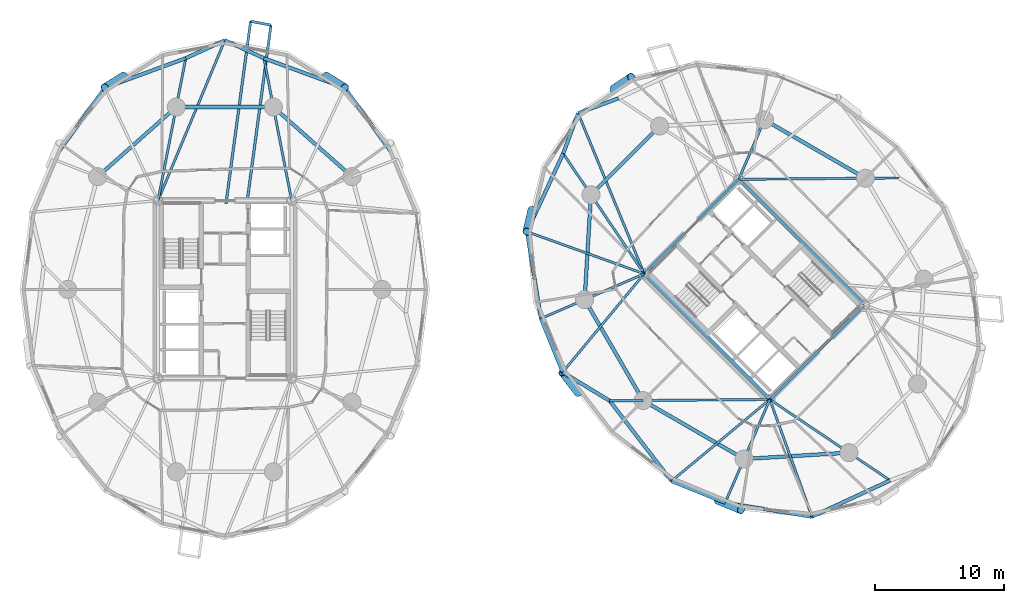
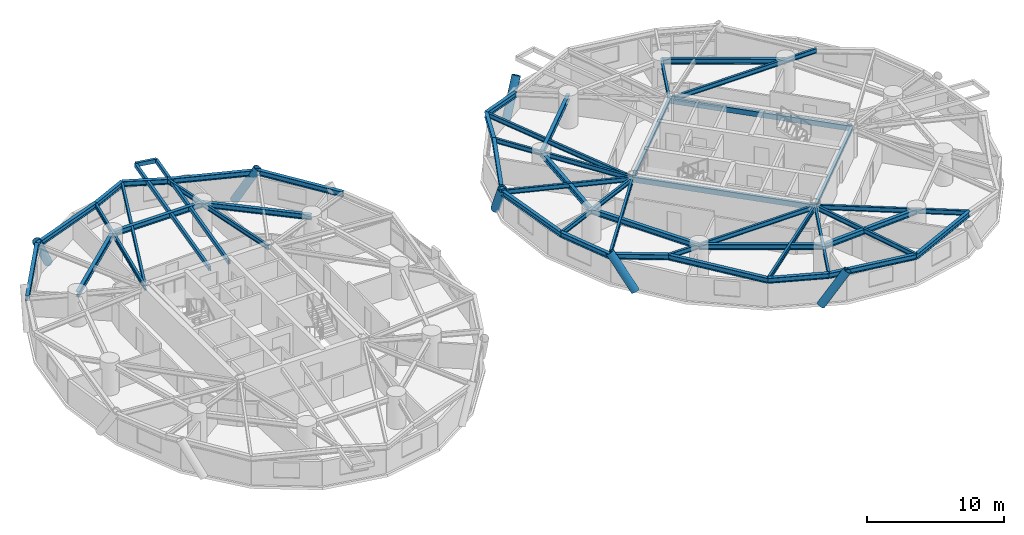
# One storey, part 5 of 17: 48 beams, 6 members.
"""IFC4 building model written with IfcOpenShell, lengths in metres."""

from ifc_helpers import new_model, si_unit, direction, frame, origin, origin_2d, place, context, subcontext, project, spatial, hollow_rectangle, hollow_circle, i_section, extrude, material, material_profile, profile_set, type_object, element, save


model = new_model("IFC4")

# Units and contexts
model_context = context("Model", 3, precision=1e-05, world=origin(), true_north=direction((0.0, 1.0)))
body_context = subcontext(model_context, "Body", "Model", "MODEL_VIEW")
ifc_project = project(units=[si_unit("LENGTHUNIT", "METRE"), si_unit("AREAUNIT", "SQUARE_METRE"), si_unit("VOLUMEUNIT", "CUBIC_METRE"), si_unit("PLANEANGLEUNIT", "RADIAN"), si_unit("MASSUNIT", "GRAM", prefix="KILO")], contexts=[model_context])

# Site, building, storey
site_placement = place(None, origin())
site = spatial("IfcSite", under=ifc_project, at=site_placement, CompositionType="ELEMENT")
building_placement = place(site_placement, origin())
building = spatial("IfcBuilding", under=site, at=building_placement, Name="Cununo Teusaquillo Station Towers", CompositionType="ELEMENT")
storey_placement = place(building_placement, frame((0.0, 0.0, 81.7900390625)))
storey = spatial("IfcBuildingStorey", under=building, at=storey_placement, Name="L25", CompositionType="ELEMENT", Elevation=81.7900390625)

# Beams
ifc_material_1 = material(Name="Steel EN 10025-2 S355J2", Category="steel")
ifc_material_profile_1 = material_profile(ifc_material_1, hollow_rectangle(XDim=0.199951171875, YDim=0.35009765625, WallThickness=0.013916015625, at=origin_2d()), Name="RHS 350x200x14")
ifc_profile_set_1 = profile_set([ifc_material_profile_1], Name="Steel EN 10025-2 S355J2")
beam_type_1 = type_object("IfcBeamType", Name="BM-BAL-CANT", PredefinedType="BEAM", material=ifc_profile_set_1)
beam_1_placement = place(storey_placement, frame((18.206298828125, 31.14990234375, 2.494873046875), z_axis=(0.133960678738, 0.990986648019, 0.0), x_axis=(-0.990986648019, 0.133960678738, 0.0)))
element("IfcBeam", 1, at=beam_1_placement, inside=storey, type_object=beam_type_1, Name="L25 Tower A Balcony Cantilever Bracket 1A", PredefinedType="BEAM", context=body_context, shape_type="SweptSolid", body=[
    extrude(hollow_rectangle(XDim=0.199951171875, YDim=0.35009765625, WallThickness=0.013916015625, at=origin_2d()), origin(), (0.0, 0.0, 1.0), 13.9345703125),
])
beam_2_placement = place(storey_placement, frame((16.59130859375, 31.14990234375, 2.494873046875), z_axis=(0.133936551357, 0.990989909237, 0.0), x_axis=(-0.990989909237, 0.133936551357, 0.0)))
element("IfcBeam", 2, at=beam_2_placement, inside=storey, type_object=beam_type_1, Name="L25 Tower A Balcony Cantilever Bracket 1B", PredefinedType="BEAM", context=body_context, shape_type="SweptSolid", body=[
    extrude(hollow_rectangle(XDim=0.199951171875, YDim=0.35009765625, WallThickness=0.013916015625, at=origin_2d()), origin(), (0.0, 0.0, 1.0), 14.24169921875),
])
ifc_material_2 = material(Name="Steel EN 10025-2 S355J2", Category="steel")
ifc_material_profile_2 = material_profile(ifc_material_2, hollow_rectangle(XDim=0.25, YDim=0.449951171875, WallThickness=0.01611328125, at=origin_2d()), Name="RHS 450x250x16")
ifc_profile_set_2 = profile_set([ifc_material_profile_2], Name="Steel EN 10025-2 S355J2")
beam_type_2 = type_object("IfcBeamType", Name="BM-COUP-1", PredefinedType="USERDEFINED", material=ifc_profile_set_2)
for number, where, z_axis, x_axis, name in (
    (3, (58.70556640625, 15.975830078125, 2.445068359375), (-0.707106781187, 0.707106781187, 0.0), (-0.707106781187, -0.707106781187, 0.0), "L25 Tower B Core Beam 1"),
    (4, (66.024169921875, 23.29443359375, 2.445068359375), (-0.707106781187, 0.707106781187, 0.0), (-0.707106781187, -0.707106781187, 0.0), "L25 Tower B Core Beam 2"),
):
    element("IfcBeam", number, at=place(storey_placement, frame(where, z_axis=z_axis, x_axis=x_axis)), inside=storey, type_object=beam_type_2, Name=name, ObjectType="COUPLING BEAM", PredefinedType="USERDEFINED", context=body_context, shape_type="SweptSolid", body=[
        extrude(hollow_rectangle(XDim=0.25, YDim=0.449951171875, WallThickness=0.01611328125, at=origin_2d()), origin(), (0.0, 0.0, 1.0), 13.760009765625),
    ])
ifc_material_3 = material(Name="Steel ASTM A572 Grade 50", Category="steel")
ifc_material_profile_3 = material_profile(ifc_material_3, i_section(OverallWidth=0.180908203125, OverallDepth=0.4169921875, WebThickness=0.010986328125, FlangeThickness=0.018310546875, FilletRadius=0.012939453125, at=origin_2d()), Name="W16X57")
ifc_profile_set_3 = profile_set([ifc_material_profile_3], Name="Steel ASTM A572 Grade 50")
beam_type_3 = type_object("IfcBeamType", Name="BM-JOIST-1", PredefinedType="JOIST", material=ifc_profile_set_3)
beam_3_placement = place(storey_placement, frame((11.324951171875, 31.3798828125, 2.46142578125), z_axis=(0.38487837995, 0.922967297713, 0.0), x_axis=(-0.922967297713, 0.38487837995, 0.0)))
element("IfcBeam", 5, at=beam_3_placement, inside=storey, type_object=beam_type_3, Name="L25 Tower A Radial Spandrel Joist V05", PredefinedType="JOIST", context=body_context, shape_type="SweptSolid", body=[
    extrude(i_section(OverallWidth=0.180908203125, OverallDepth=0.4169921875, WebThickness=0.010986328125, FlangeThickness=0.018310546875, FilletRadius=0.012939453125, at=origin_2d()), origin(), (0.0, 0.0, 1.0), 13.446044921875),
])
beam_4_placement = place(storey_placement, frame((48.975830078125, 25.70556640625, 2.46142578125), z_axis=(-0.380485864505, 0.924786735908, 0.0), x_axis=(-0.924786735908, -0.380485864505, 0.0)))
element("IfcBeam", 6, at=beam_4_placement, inside=storey, type_object=beam_type_3, Name="L25 Tower B Radial Spandrel Joist V05", PredefinedType="JOIST", context=body_context, shape_type="SweptSolid", body=[
    extrude(i_section(OverallWidth=0.180908203125, OverallDepth=0.4169921875, WebThickness=0.010986328125, FlangeThickness=0.018310546875, FilletRadius=0.012939453125, at=origin_2d()), origin(), (0.0, 0.0, 1.0), 13.44580078125),
])
beam_5_placement = place(storey_placement, frame((48.975830078125, 25.70556640625, 2.46142578125), z_axis=(-0.941082771055, 0.338176312038, 0.0), x_axis=(-0.338176312038, -0.941082771055, 0.0)))
element("IfcBeam", 7, at=beam_5_placement, inside=storey, type_object=beam_type_3, Name="L25 Tower B Radial Spandrel Joist V07", PredefinedType="JOIST", context=body_context, shape_type="SweptSolid", body=[
    extrude(i_section(OverallWidth=0.180908203125, OverallDepth=0.4169921875, WebThickness=0.010986328125, FlangeThickness=0.018310546875, FilletRadius=0.012939453125, at=origin_2d()), origin(), (0.0, 0.0, 1.0), 9.646484375),
])
for number, where, z_axis, x_axis, name in (
    (8, (48.975830078125, 25.70556640625, 2.46142578125), (-0.638372238196, -0.769727799615, 0.0), (0.769727799615, -0.638372238196, 0.0), "L25 Tower B Radial Spandrel Joist V09"),
    (9, (58.70556640625, 15.975830078125, 2.46142578125), (-0.769727799615, -0.638372238196, 0.0), (0.638372238196, -0.769727799615, 0.0), "L25 Tower B Radial Spandrel Joist V11"),
):
    element("IfcBeam", number, at=place(storey_placement, frame(where, z_axis=z_axis, x_axis=x_axis)), inside=storey, type_object=beam_type_3, Name=name, PredefinedType="JOIST", context=body_context, shape_type="SweptSolid", body=[
        extrude(i_section(OverallWidth=0.180908203125, OverallDepth=0.4169921875, WebThickness=0.010986328125, FlangeThickness=0.018310546875, FilletRadius=0.012939453125, at=origin_2d()), origin(), (0.0, 0.0, 1.0), 9.895263671875),
    ])
beam_6_placement = place(storey_placement, frame((58.70556640625, 15.975830078125, 2.46142578125), z_axis=(0.338176312038, -0.941082771055, 0.0), x_axis=(0.941082771055, 0.338176312038, 0.0)))
element("IfcBeam", 10, at=beam_6_placement, inside=storey, type_object=beam_type_3, Name="L25 Tower B Radial Spandrel Joist V13", PredefinedType="JOIST", context=body_context, shape_type="SweptSolid", body=[
    extrude(i_section(OverallWidth=0.180908203125, OverallDepth=0.4169921875, WebThickness=0.010986328125, FlangeThickness=0.018310546875, FilletRadius=0.012939453125, at=origin_2d()), origin(), (0.0, 0.0, 1.0), 9.646484375),
])
ifc_material_4 = material(Name="Steel ASTM A572 Grade 50", Category="steel")
ifc_material_profile_4 = material_profile(ifc_material_4, i_section(OverallWidth=0.2041015625, OverallDepth=0.35009765625, WebThickness=0.008544921875, FlangeThickness=0.01513671875, FilletRadius=0.011962890625, at=origin_2d()), Name="W14X48")
ifc_profile_set_4 = profile_set([ifc_material_profile_4], Name="Steel ASTM A572 Grade 50")
beam_type_4 = type_object("IfcBeamType", Name="BM-LINTEL-1", PredefinedType="LINTEL", material=ifc_profile_set_4)
for number, where, z_axis, x_axis, name in (
    (11, (58.70556640625, 15.975830078125, 2.494873046875), (0.707106781187, 0.707106781187, 0.0), (-0.707106781187, 0.707106781187, 0.0), "L25 Tower B Core Beam 3"),
    (12, (48.975830078125, 25.70556640625, 2.494873046875), (0.707106781187, 0.707106781187, 0.0), (-0.707106781187, 0.707106781187, 0.0), "L25 Tower B Core Beam 4"),
):
    element("IfcBeam", number, at=place(storey_placement, frame(where, z_axis=z_axis, x_axis=x_axis)), inside=storey, type_object=beam_type_4, Name=name, PredefinedType="LINTEL", context=body_context, shape_type="SweptSolid", body=[
        extrude(i_section(OverallWidth=0.2041015625, OverallDepth=0.35009765625, WebThickness=0.008544921875, FlangeThickness=0.01513671875, FilletRadius=0.011962890625, at=origin_2d()), origin(), (0.0, 0.0, 1.0), 10.35009765625),
    ])
ifc_material_5 = material(Name="Steel ASTM A572 Grade 50", Category="steel")
ifc_material_profile_5 = material_profile(ifc_material_5, i_section(OverallWidth=0.180908203125, OverallDepth=0.4169921875, WebThickness=0.010986328125, FlangeThickness=0.018310546875, FilletRadius=0.012939453125, at=origin_2d()), Name="W16X57")
ifc_profile_set_5 = profile_set([ifc_material_profile_5], Name="Steel ASTM A572 Grade 50")
beam_type_5 = type_object("IfcBeamType", Name="BM-RAD-G2", PredefinedType="BEAM", material=ifc_profile_set_5)
for number, where, z_axis, x_axis, name in (
    (13, (21.675048828125, 31.3798828125, 2.46142578125), (-0.191552755713, 0.981482318628, 0.0), (-0.981482318628, -0.191552755713, 0.0), "L25 Tower A Continuous Overhanging Radial Girder 03"),
    (14, (11.324951171875, 31.3798828125, 2.46142578125), (0.191552755713, 0.981482318628, 0.0), (-0.981482318628, 0.191552755713, 0.0), "L25 Tower A Continuous Overhanging Radial Girder 04"),
):
    element("IfcBeam", number, at=place(storey_placement, frame(where, z_axis=z_axis, x_axis=x_axis)), inside=storey, type_object=beam_type_5, Name=name, PredefinedType="BEAM", context=body_context, shape_type="SweptSolid", body=[
        extrude(i_section(OverallWidth=0.180908203125, OverallDepth=0.4169921875, WebThickness=0.010986328125, FlangeThickness=0.018310546875, FilletRadius=0.012939453125, at=origin_2d()), origin(), (0.0, 0.0, 1.0), 11.22998046875),
    ])
beam_7_placement = place(storey_placement, frame((56.29443359375, 33.024169921875, 2.46142578125), z_axis=(0.999964331255, 0.008446077024, 0.0), x_axis=(-0.008446077024, 0.999964331255, 0.0)))
element("IfcBeam", 15, at=beam_7_placement, inside=storey, type_object=beam_type_5, Name="L25 Tower B Continuous Overhanging Radial Girder 01", PredefinedType="BEAM", context=body_context, shape_type="SweptSolid", body=[
    extrude(i_section(OverallWidth=0.180908203125, OverallDepth=0.4169921875, WebThickness=0.010986328125, FlangeThickness=0.018310546875, FilletRadius=0.012939453125, at=origin_2d()), origin(), (0.0, 0.0, 1.0), 12.400634765625),
])
beam_8_placement = place(storey_placement, frame((56.29443359375, 33.024169921875, 2.46142578125), z_axis=(0.397346986387, 0.917668443616, 0.0), x_axis=(-0.917668443616, 0.397346986387, 0.0)))
element("IfcBeam", 16, at=beam_8_placement, inside=storey, type_object=beam_type_5, Name="L25 Tower B Radial Girder 02A", PredefinedType="BEAM", context=body_context, shape_type="SweptSolid", body=[
    extrude(i_section(OverallWidth=0.180908203125, OverallDepth=0.4169921875, WebThickness=0.010986328125, FlangeThickness=0.018310546875, FilletRadius=0.012939453125, at=origin_2d()), origin(), (0.0, 0.0, 1.0), 5.02490234375),
])
beam_9_placement = place(storey_placement, frame((48.975830078125, 25.70556640625, 2.46142578125), z_axis=(-0.558572297481, 0.82945583878, 0.0), x_axis=(-0.82945583878, -0.558572297481, 0.0)))
element("IfcBeam", 17, at=beam_9_placement, inside=storey, type_object=beam_type_5, Name="L25 Tower B Continuous Overhanging Radial Girder 04", PredefinedType="BEAM", context=body_context, shape_type="SweptSolid", body=[
    extrude(i_section(OverallWidth=0.180908203125, OverallDepth=0.4169921875, WebThickness=0.010986328125, FlangeThickness=0.018310546875, FilletRadius=0.012939453125, at=origin_2d()), origin(), (0.0, 0.0, 1.0), 11.22998046875),
])
beam_10_placement = place(storey_placement, frame((48.975830078125, 25.70556640625, 2.46142578125), z_axis=(-0.917654733344, -0.397378648609, 0.0), x_axis=(0.397378648609, -0.917654733344, 0.0)))
element("IfcBeam", 18, at=beam_10_placement, inside=storey, type_object=beam_type_5, Name="L25 Tower B Continuous Overhanging Radial Girder 05", PredefinedType="BEAM", context=body_context, shape_type="SweptSolid", body=[
    extrude(i_section(OverallWidth=0.180908203125, OverallDepth=0.4169921875, WebThickness=0.010986328125, FlangeThickness=0.018310546875, FilletRadius=0.012939453125, at=origin_2d()), origin(), (0.0, 0.0, 1.0), 8.71484375),
])
beam_11_placement = place(storey_placement, frame((58.70556640625, 15.975830078125, 2.46142578125), z_axis=(-0.999964431382, -0.008434214327, 0.0), x_axis=(0.008434214327, -0.999964431382, 0.0)))
element("IfcBeam", 19, at=beam_11_placement, inside=storey, type_object=beam_type_5, Name="L25 Tower B Radial Girder 06A", PredefinedType="BEAM", context=body_context, shape_type="SweptSolid", body=[
    extrude(i_section(OverallWidth=0.180908203125, OverallDepth=0.4169921875, WebThickness=0.010986328125, FlangeThickness=0.018310546875, FilletRadius=0.012939453125, at=origin_2d()), origin(), (0.0, 0.0, 1.0), 9.812744140625),
])
beam_12_placement = place(storey_placement, frame((48.89306640625, 15.89306640625, 2.46142578125), z_axis=(-0.999963950292, -0.008491060999, 0.0), x_axis=(0.008491060999, -0.999963950292, 0.0)))
element("IfcBeam", 20, at=beam_12_placement, inside=storey, type_object=beam_type_5, Name="L25 Tower B Perimeter Overhang Girder 06B", PredefinedType="BEAM", context=body_context, shape_type="SweptSolid", body=[
    extrude(i_section(OverallWidth=0.180908203125, OverallDepth=0.4169921875, WebThickness=0.010986328125, FlangeThickness=0.018310546875, FilletRadius=0.012939453125, at=origin_2d()), origin(), (0.0, 0.0, 1.0), 2.587646484375),
])
beam_13_placement = place(storey_placement, frame((58.70556640625, 15.975830078125, 2.46142578125), z_axis=(-0.397378648609, -0.917654733344, 0.0), x_axis=(0.917654733344, -0.397378648609, 0.0)))
element("IfcBeam", 21, at=beam_13_placement, inside=storey, type_object=beam_type_5, Name="L25 Tower B Continuous Overhanging Radial Girder 07", PredefinedType="BEAM", context=body_context, shape_type="SweptSolid", body=[
    extrude(i_section(OverallWidth=0.180908203125, OverallDepth=0.4169921875, WebThickness=0.010986328125, FlangeThickness=0.018310546875, FilletRadius=0.012939453125, at=origin_2d()), origin(), (0.0, 0.0, 1.0), 8.71484375),
])
beam_14_placement = place(storey_placement, frame((58.70556640625, 15.975830078125, 2.46142578125), z_axis=(0.82945583878, -0.558572297481, 0.0), x_axis=(0.558572297481, 0.82945583878, 0.0)))
element("IfcBeam", 22, at=beam_14_placement, inside=storey, type_object=beam_type_5, Name="L25 Tower B Continuous Overhanging Radial Girder 08", PredefinedType="BEAM", context=body_context, shape_type="SweptSolid", body=[
    extrude(i_section(OverallWidth=0.180908203125, OverallDepth=0.4169921875, WebThickness=0.010986328125, FlangeThickness=0.018310546875, FilletRadius=0.012939453125, at=origin_2d()), origin(), (0.0, 0.0, 1.0), 11.22998046875),
])
ifc_material_6 = material(Name="Steel ASTM A572 Grade 50", Category="steel")
ifc_material_profile_6 = material_profile(ifc_material_6, i_section(OverallWidth=0.280029296875, OverallDepth=0.462890625, WebThickness=0.0107421875, FlangeThickness=0.017333984375, FilletRadius=0.013916015625, at=origin_2d()), Name="W18X76")
ifc_profile_set_6 = profile_set([ifc_material_profile_6], Name="Steel ASTM A572 Grade 50")
beam_type_6 = type_object("IfcBeamType", Name="BM-RING-Z2", PredefinedType="SPANDREL", material=ifc_profile_set_6)
beam_15_placement = place(storey_placement, frame((26.347412109375, 33.228515625, 2.4384765625), z_axis=(-0.74832120039, 0.66333655187, 0.0), x_axis=(-0.66333655187, -0.74832120039, 0.0)))
element("IfcBeam", 23, at=beam_15_placement, inside=storey, type_object=beam_type_6, Name="L25 Tower A Structural Column Ring Girder 02", PredefinedType="SPANDREL", context=body_context, shape_type="SweptSolid", body=[
    extrude(i_section(OverallWidth=0.280029296875, OverallDepth=0.462890625, WebThickness=0.0107421875, FlangeThickness=0.017333984375, FilletRadius=0.013916015625, at=origin_2d()), origin(), (0.0, 0.0, 1.0), 8.1328125),
])
beam_16_placement = place(storey_placement, frame((20.261474609375, 38.623291015625, 2.4384765625), z_axis=(-1.0, 0.0, 0.0), x_axis=(0.0, -1.0, 0.0)))
element("IfcBeam", 24, at=beam_16_placement, inside=storey, type_object=beam_type_6, Name="L25 Tower A Structural Column Ring Girder 03", PredefinedType="SPANDREL", context=body_context, shape_type="SweptSolid", body=[
    extrude(i_section(OverallWidth=0.280029296875, OverallDepth=0.462890625, WebThickness=0.0107421875, FlangeThickness=0.017333984375, FilletRadius=0.013916015625, at=origin_2d()), origin(), (0.0, 0.0, 1.0), 7.52294921875),
])
beam_17_placement = place(storey_placement, frame((12.738525390625, 38.623291015625, 2.4384765625), z_axis=(-0.74832120039, -0.66333655187, 0.0), x_axis=(0.66333655187, -0.74832120039, 0.0)))
element("IfcBeam", 25, at=beam_17_placement, inside=storey, type_object=beam_type_6, Name="L25 Tower A Structural Column Ring Girder 04", PredefinedType="SPANDREL", context=body_context, shape_type="SweptSolid", body=[
    extrude(i_section(OverallWidth=0.280029296875, OverallDepth=0.462890625, WebThickness=0.0107421875, FlangeThickness=0.017333984375, FilletRadius=0.013916015625, at=origin_2d()), origin(), (0.0, 0.0, 1.0), 8.1328125),
])
beam_18_placement = place(storey_placement, frame((29.77880859375, 34.586181640625, 2.4384765625), z_axis=(-0.58594455724, 0.810351143543, 0.0), x_axis=(-0.810351143543, -0.58594455724, 0.0)))
element("IfcBeam", 26, at=beam_18_placement, inside=storey, type_object=beam_type_6, Name="L25 Tower A Spandrel Ring Beam 03", PredefinedType="SPANDREL", context=body_context, shape_type="SweptSolid", body=[
    extrude(i_section(OverallWidth=0.280029296875, OverallDepth=0.462890625, WebThickness=0.0107421875, FlangeThickness=0.017333984375, FilletRadius=0.013916015625, at=origin_2d()), origin(), (0.0, 0.0, 1.0), 6.8115234375),
])
beam_19_placement = place(storey_placement, frame((25.78759765625, 40.10595703125, 2.4384765625), z_axis=(-0.938914161016, 0.34415141761, 0.0), x_axis=(-0.34415141761, -0.938914161016, 0.0)))
element("IfcBeam", 27, at=beam_19_placement, inside=storey, type_object=beam_type_6, Name="L25 Tower A Spandrel Ring Beam 04", PredefinedType="SPANDREL", context=body_context, shape_type="SweptSolid", body=[
    extrude(i_section(OverallWidth=0.280029296875, OverallDepth=0.462890625, WebThickness=0.0107421875, FlangeThickness=0.017333984375, FilletRadius=0.013916015625, at=origin_2d()), origin(), (0.0, 0.0, 1.0), 6.671142578125),
])
for number, where, z_axis, x_axis, name in (
    (28, (19.52392578125, 42.40185546875, 2.4384765625), (-0.908812215281, 0.417205413862, 0.0), (-0.417205413862, -0.908812215281, 0.0), "L25 Tower A Spandrel Ring Beam 05"),
    (29, (16.5, 43.7900390625, 2.4384765625), (-0.908812215281, -0.417205413862, 0.0), (0.417205413862, -0.908812215281, 0.0), "L25 Tower A Spandrel Ring Beam 06"),
):
    element("IfcBeam", number, at=place(storey_placement, frame(where, z_axis=z_axis, x_axis=x_axis)), inside=storey, type_object=beam_type_6, Name=name, PredefinedType="SPANDREL", context=body_context, shape_type="SweptSolid", body=[
        extrude(i_section(OverallWidth=0.280029296875, OverallDepth=0.462890625, WebThickness=0.0107421875, FlangeThickness=0.017333984375, FilletRadius=0.013916015625, at=origin_2d()), origin(), (0.0, 0.0, 1.0), 3.327392578125),
    ])
beam_20_placement = place(storey_placement, frame((13.47607421875, 42.40185546875, 2.4384765625), z_axis=(-0.938914161016, -0.34415141761, 0.0), x_axis=(0.34415141761, -0.938914161016, 0.0)))
element("IfcBeam", 30, at=beam_20_placement, inside=storey, type_object=beam_type_6, Name="L25 Tower A Spandrel Ring Beam 07", PredefinedType="SPANDREL", context=body_context, shape_type="SweptSolid", body=[
    extrude(i_section(OverallWidth=0.280029296875, OverallDepth=0.462890625, WebThickness=0.0107421875, FlangeThickness=0.017333984375, FilletRadius=0.013916015625, at=origin_2d()), origin(), (0.0, 0.0, 1.0), 6.671142578125),
])
beam_21_placement = place(storey_placement, frame((7.21240234375, 40.10595703125, 2.4384765625), z_axis=(-0.58594455724, -0.810351143543, 0.0), x_axis=(0.810351143543, -0.58594455724, 0.0)))
element("IfcBeam", 31, at=beam_21_placement, inside=storey, type_object=beam_type_6, Name="L25 Tower A Spandrel Ring Beam 08", PredefinedType="SPANDREL", context=body_context, shape_type="SweptSolid", body=[
    extrude(i_section(OverallWidth=0.280029296875, OverallDepth=0.462890625, WebThickness=0.0107421875, FlangeThickness=0.017333984375, FilletRadius=0.013916015625, at=origin_2d()), origin(), (0.0, 0.0, 1.0), 6.8115234375),
])
beam_22_placement = place(storey_placement, frame((66.10693359375, 33.10693359375, 2.4384765625), z_axis=(-0.865267103202, 0.501311121078, 0.0), x_axis=(-0.501311121078, -0.865267103202, 0.0)))
element("IfcBeam", 32, at=beam_22_placement, inside=storey, type_object=beam_type_6, Name="L25 Tower B Structural Column Ring Girder 01", PredefinedType="SPANDREL", context=body_context, shape_type="SweptSolid", body=[
    extrude(i_section(OverallWidth=0.280029296875, OverallDepth=0.462890625, WebThickness=0.0107421875, FlangeThickness=0.017333984375, FilletRadius=0.013916015625, at=origin_2d()), origin(), (0.0, 0.0, 1.0), 9.032958984375),
])
beam_23_placement = place(storey_placement, frame((50.173095703125, 37.146240234375, 2.4384765625), z_axis=(-0.707106781187, -0.707106781187, 0.0), x_axis=(0.707106781187, -0.707106781187, 0.0)))
element("IfcBeam", 33, at=beam_23_placement, inside=storey, type_object=beam_type_6, Name="L25 Tower B Structural Column Ring Girder 03", PredefinedType="SPANDREL", context=body_context, shape_type="SweptSolid", body=[
    extrude(i_section(OverallWidth=0.280029296875, OverallDepth=0.462890625, WebThickness=0.0107421875, FlangeThickness=0.017333984375, FilletRadius=0.013916015625, at=origin_2d()), origin(), (0.0, 0.0, 1.0), 7.522705078125),
])
beam_24_placement = place(storey_placement, frame((44.853759765625, 31.826904296875, 2.4384765625), z_axis=(-0.06012979176, -0.998190567048, 0.0), x_axis=(0.998190567048, -0.06012979176, 0.0)))
element("IfcBeam", 34, at=beam_24_placement, inside=storey, type_object=beam_type_6, Name="L25 Tower B Structural Column Ring Girder 04", PredefinedType="SPANDREL", context=body_context, shape_type="SweptSolid", body=[
    extrude(i_section(OverallWidth=0.280029296875, OverallDepth=0.462890625, WebThickness=0.0107421875, FlangeThickness=0.017333984375, FilletRadius=0.013916015625, at=origin_2d()), origin(), (0.0, 0.0, 1.0), 8.132568359375),
])
for number, where, z_axis, x_axis, name in (
    (35, (44.36474609375, 23.708984375, 2.4384765625), (0.501311121078, -0.865267103202, 0.0), (0.865267103202, 0.501311121078, 0.0), "L25 Tower B Structural Column Ring Girder 05"),
    (36, (48.89306640625, 15.89306640625, 2.4384765625), (0.865267103202, -0.501311121078, 0.0), (0.501311121078, 0.865267103202, 0.0), "L25 Tower B Structural Column Ring Girder 06"),
):
    element("IfcBeam", number, at=place(storey_placement, frame(where, z_axis=z_axis, x_axis=x_axis)), inside=storey, type_object=beam_type_6, Name=name, PredefinedType="SPANDREL", context=body_context, shape_type="SweptSolid", body=[
        extrude(i_section(OverallWidth=0.280029296875, OverallDepth=0.462890625, WebThickness=0.0107421875, FlangeThickness=0.017333984375, FilletRadius=0.013916015625, at=origin_2d()), origin(), (0.0, 0.0, 1.0), 9.032958984375),
    ])
beam_25_placement = place(storey_placement, frame((56.708984375, 11.36474609375, 2.4384765625), z_axis=(0.998190567048, 0.06012979176, 0.0), x_axis=(-0.06012979176, 0.998190567048, 0.0)))
element("IfcBeam", 37, at=beam_25_placement, inside=storey, type_object=beam_type_6, Name="L25 Tower B Structural Column Ring Girder 07", PredefinedType="SPANDREL", context=body_context, shape_type="SweptSolid", body=[
    extrude(i_section(OverallWidth=0.280029296875, OverallDepth=0.462890625, WebThickness=0.0107421875, FlangeThickness=0.017333984375, FilletRadius=0.013916015625, at=origin_2d()), origin(), (0.0, 0.0, 1.0), 8.132568359375),
])
for number, where, z_axis, x_axis, name in (
    (38, (46.979736328125, 39.296875, 2.4384765625), (-0.937628334414, -0.347639333943, 0.0), (0.347639333943, -0.937628334414, 0.0), "L25 Tower B Spandrel Ring Beam 05"),
    (39, (43.85986328125, 38.14013671875, 2.4384765625), (-0.347639333943, -0.937628334414, 0.0), (0.937628334414, -0.347639333943, 0.0), "L25 Tower B Spandrel Ring Beam 06"),
):
    element("IfcBeam", number, at=place(storey_placement, frame(where, z_axis=z_axis, x_axis=x_axis)), inside=storey, type_object=beam_type_6, Name=name, PredefinedType="SPANDREL", context=body_context, shape_type="SweptSolid", body=[
        extrude(i_section(OverallWidth=0.280029296875, OverallDepth=0.462890625, WebThickness=0.0107421875, FlangeThickness=0.017333984375, FilletRadius=0.013916015625, at=origin_2d()), origin(), (0.0, 0.0, 1.0), 3.327392578125),
    ])
beam_26_placement = place(storey_placement, frame((42.703125, 35.020263671875, 2.4384765625), z_axis=(-0.420535961689, -0.907275870354, 0.0), x_axis=(0.907275870354, -0.420535961689, 0.0)))
element("IfcBeam", 40, at=beam_26_placement, inside=storey, type_object=beam_type_6, Name="L25 Tower B Spandrel Ring Beam 07", PredefinedType="SPANDREL", context=body_context, shape_type="SweptSolid", body=[
    extrude(i_section(OverallWidth=0.280029296875, OverallDepth=0.462890625, WebThickness=0.0107421875, FlangeThickness=0.017333984375, FilletRadius=0.013916015625, at=origin_2d()), origin(), (0.0, 0.0, 1.0), 6.671142578125),
])
beam_27_placement = place(storey_placement, frame((39.897705078125, 28.9677734375, 2.4384765625), z_axis=(0.158671232312, -0.987331474246, 0.0), x_axis=(0.987331474246, 0.158671232312, 0.0)))
element("IfcBeam", 41, at=beam_27_placement, inside=storey, type_object=beam_type_6, Name="L25 Tower B Spandrel Ring Beam 08", PredefinedType="SPANDREL", context=body_context, shape_type="SweptSolid", body=[
    extrude(i_section(OverallWidth=0.280029296875, OverallDepth=0.462890625, WebThickness=0.0107421875, FlangeThickness=0.017333984375, FilletRadius=0.013916015625, at=origin_2d()), origin(), (0.0, 0.0, 1.0), 6.8115234375),
])
beam_28_placement = place(storey_placement, frame((40.978515625, 22.242431640625, 2.4384765625), z_axis=(0.375042266631, -0.927007712072, 0.0), x_axis=(0.927007712072, 0.375042266631, 0.0)))
element("IfcBeam", 42, at=beam_28_placement, inside=storey, type_object=beam_type_6, Name="L25 Tower B Spandrel Ring Beam 09", PredefinedType="SPANDREL", context=body_context, shape_type="SweptSolid", body=[
    extrude(i_section(OverallWidth=0.280029296875, OverallDepth=0.462890625, WebThickness=0.0107421875, FlangeThickness=0.017333984375, FilletRadius=0.013916015625, at=origin_2d()), origin(), (0.0, 0.0, 1.0), 4.480712890625),
])
beam_29_placement = place(storey_placement, frame((42.658935546875, 18.0888671875, 2.4384765625), z_axis=(0.854388492444, -0.519634779416, 0.0), x_axis=(0.519634779416, 0.854388492444, 0.0)))
element("IfcBeam", 43, at=beam_29_placement, inside=storey, type_object=beam_type_6, Name="L25 Tower B Spandrel Ring Beam 10", PredefinedType="SPANDREL", context=body_context, shape_type="SweptSolid", body=[
    extrude(i_section(OverallWidth=0.280029296875, OverallDepth=0.462890625, WebThickness=0.0107421875, FlangeThickness=0.017333984375, FilletRadius=0.013916015625, at=origin_2d()), origin(), (0.0, 0.0, 1.0), 4.26806640625),
])
beam_30_placement = place(storey_placement, frame((46.305419921875, 15.87109375, 2.4384765625), z_axis=(0.610100441726, -0.792324082056, 0.0), x_axis=(0.792324082056, 0.610100441726, 0.0)))
element("IfcBeam", 44, at=beam_30_placement, inside=storey, type_object=beam_type_6, Name="L25 Tower B Spandrel Ring Beam 11", PredefinedType="SPANDREL", context=body_context, shape_type="SweptSolid", body=[
    extrude(i_section(OverallWidth=0.280029296875, OverallDepth=0.462890625, WebThickness=0.0107421875, FlangeThickness=0.017333984375, FilletRadius=0.013916015625, at=origin_2d()), origin(), (0.0, 0.0, 1.0), 7.84033203125),
])
beam_31_placement = place(storey_placement, frame((51.0888671875, 9.658935546875, 2.4384765625), z_axis=(0.927007712072, -0.375042266631, 0.0), x_axis=(0.375042266631, 0.927007712072, 0.0)))
element("IfcBeam", 45, at=beam_31_placement, inside=storey, type_object=beam_type_6, Name="L25 Tower B Spandrel Ring Beam 12", PredefinedType="SPANDREL", context=body_context, shape_type="SweptSolid", body=[
    extrude(i_section(OverallWidth=0.280029296875, OverallDepth=0.462890625, WebThickness=0.0107421875, FlangeThickness=0.017333984375, FilletRadius=0.013916015625, at=origin_2d()), origin(), (0.0, 0.0, 1.0), 4.480712890625),
])
beam_32_placement = place(storey_placement, frame((55.242431640625, 7.978515625, 2.4384765625), z_axis=(0.987331474246, -0.158671232312, 0.0), x_axis=(0.158671232312, 0.987331474246, 0.0)))
element("IfcBeam", 46, at=beam_32_placement, inside=storey, type_object=beam_type_6, Name="L25 Tower B Spandrel Ring Beam 13", PredefinedType="SPANDREL", context=body_context, shape_type="SweptSolid", body=[
    extrude(i_section(OverallWidth=0.280029296875, OverallDepth=0.462890625, WebThickness=0.0107421875, FlangeThickness=0.017333984375, FilletRadius=0.013916015625, at=origin_2d()), origin(), (0.0, 0.0, 1.0), 6.8115234375),
])
beam_33_placement = place(storey_placement, frame((61.9677734375, 6.897705078125, 2.4384765625), z_axis=(0.907275870354, 0.420535961689, 0.0), x_axis=(-0.420535961689, 0.907275870354, 0.0)))
element("IfcBeam", 47, at=beam_33_placement, inside=storey, type_object=beam_type_6, Name="L25 Tower B Spandrel Ring Beam 14", PredefinedType="SPANDREL", context=body_context, shape_type="SweptSolid", body=[
    extrude(i_section(OverallWidth=0.280029296875, OverallDepth=0.462890625, WebThickness=0.0107421875, FlangeThickness=0.017333984375, FilletRadius=0.013916015625, at=origin_2d()), origin(), (0.0, 0.0, 1.0), 6.671142578125),
])
ifc_material_7 = material(Name="Steel EN 10025-2 S355J2", Category="steel")
ifc_material_profile_7 = material_profile(ifc_material_7, hollow_rectangle(XDim=0.199951171875, YDim=0.35009765625, WallThickness=0.013916015625, at=origin_2d()), Name="RHS 350x200x14")
ifc_profile_set_7 = profile_set([ifc_material_profile_7], Name="Steel EN 10025-2 S355J2")
beam_type_7 = type_object("IfcBeamType", Name="BM-STAIR-TRIM", PredefinedType="BEAM", material=ifc_profile_set_7)
beam_34_placement = place(storey_placement, frame((20.072998046875, 44.958984375, 2.52490234375), z_axis=(-0.981836621572, 0.189728354603, 0.0), x_axis=(-0.189728354603, -0.981836621572, 0.0)))
element("IfcBeam", 48, at=beam_34_placement, inside=storey, type_object=beam_type_7, Name="L25 Tower A Balcony Edge Trimmer Beam 1", PredefinedType="BEAM", context=body_context, shape_type="SweptSolid", body=[
    extrude(hollow_rectangle(XDim=0.199951171875, YDim=0.35009765625, WallThickness=0.013916015625, at=origin_2d()), origin(), (0.0, 0.0, 1.0), 1.603271484375),
])

# Members
ifc_material_8 = material(Name="Steel EN 10025-2 S355J2", Category="steel")
ifc_material_profile_8 = material_profile(ifc_material_8, hollow_circle(Radius=0.330078125, WallThickness=0.02490234375, at=origin_2d()), Name="CHS 660x25")
ifc_profile_set_8 = profile_set([ifc_material_profile_8], Name="Steel EN 10025-2 S355J2")
member_type = type_object("IfcMemberType", Name="MBR-DIAG-Z2", PredefinedType="BRACE", material=ifc_profile_set_8)
for number, where, z_axis, x_axis, name in (
    (49, (24.3193359375, 41.019287109375, -0.14013671875), (0.433741137774, -0.269808047292, 0.859693109789), (0.528195574716, 0.849122744278, 0.0), "L25 Tower A Folded-Zigzag Diagrid Tube C03"),
    (50, (8.6806640625, 41.019287109375, -0.14013671875), (-0.433741137774, -0.269808047292, 0.859693109789), (0.528195574716, -0.849122744278, 0.0), "L25 Tower A Folded-Zigzag Diagrid Tube C06"),
):
    element("IfcMember", number, at=place(storey_placement, frame(where, z_axis=z_axis, x_axis=x_axis)), inside=storey, type_object=member_type, Name=name, PredefinedType="BRACE", context=body_context, shape_type="SweptSolid", body=[
        extrude(hollow_circle(Radius=0.330078125, WallThickness=0.02490234375, at=origin_2d()), origin(), (0.0, 0.0, 1.0), 3.385009765625),
    ])
member_1_placement = place(storey_placement, frame((46.606689453125, 39.996826171875, -0.14013671875), z_axis=(0.410098958558, 0.277214066725, 0.868890790261), x_axis=(-0.560024081213, 0.828476329452, 0.0)))
element("IfcMember", 51, at=member_1_placement, inside=storey, type_object=member_type, Name="L25 Tower B Folded-Zigzag Diagrid Tube C04", PredefinedType="BRACE", context=body_context, shape_type="SweptSolid", body=[
    extrude(hollow_circle(Radius=0.330078125, WallThickness=0.02490234375, at=origin_2d()), origin(), (0.0, 0.0, 1.0), 3.349365234375),
])
member_2_placement = place(storey_placement, frame((40.2900390625, 30.651611328125, -0.14013671875), z_axis=(-0.115903584987, -0.497440588461, 0.859720431268), x_axis=(0.973913029911, -0.226921594761, 0.0)))
element("IfcMember", 52, at=member_2_placement, inside=storey, type_object=member_type, Name="L25 Tower B Folded-Zigzag Diagrid Tube C06", PredefinedType="BRACE", context=body_context, shape_type="SweptSolid", body=[
    extrude(hollow_circle(Radius=0.330078125, WallThickness=0.02490234375, at=origin_2d()), origin(), (0.0, 0.0, 1.0), 3.385009765625),
])
member_3_placement = place(storey_placement, frame((43.881591796875, 16.501708984375, -0.14013671875), z_axis=(-0.346055239045, 0.44922226618, 0.823677805394), x_axis=(-0.792197972779, -0.610264182076, 0.0)))
element("IfcMember", 53, at=member_3_placement, inside=storey, type_object=member_type, Name="L25 Tower B Folded-Zigzag Diagrid Tube C09", PredefinedType="BRACE", context=body_context, shape_type="SweptSolid", body=[
    extrude(hollow_circle(Radius=0.330078125, WallThickness=0.02490234375, at=origin_2d()), origin(), (0.0, 0.0, 1.0), 3.533203125),
])
member_4_placement = place(storey_placement, frame((54.681884765625, 8.181884765625, -0.14013671875), z_axis=(0.513432884221, -0.211081064796, 0.831764063593), x_axis=(0.380237656053, 0.924888817599, 0.0)))
element("IfcMember", 54, at=member_4_placement, inside=storey, type_object=member_type, Name="L25 Tower B Folded-Zigzag Diagrid Tube C11", PredefinedType="BRACE", context=body_context, shape_type="SweptSolid", body=[
    extrude(hollow_circle(Radius=0.330078125, WallThickness=0.02490234375, at=origin_2d()), origin(), (0.0, 0.0, 1.0), 3.498779296875),
])

save(model, "model.ifc")
